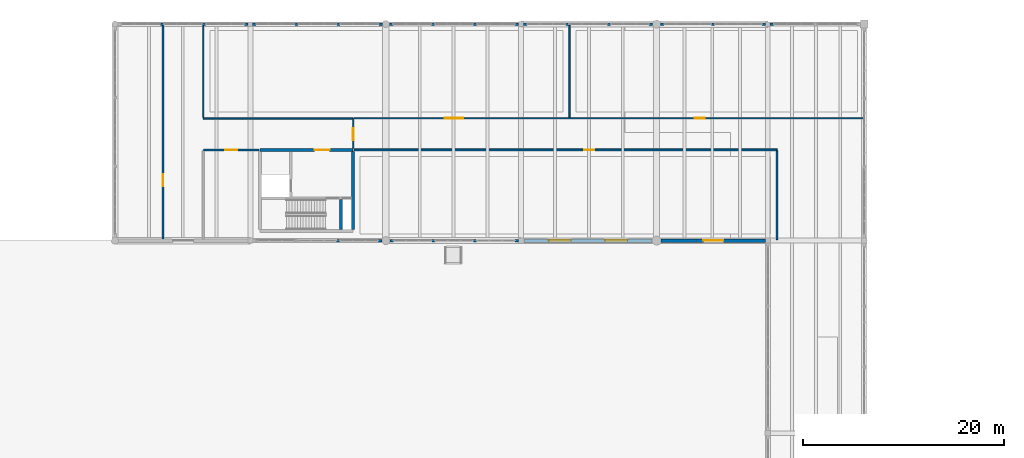
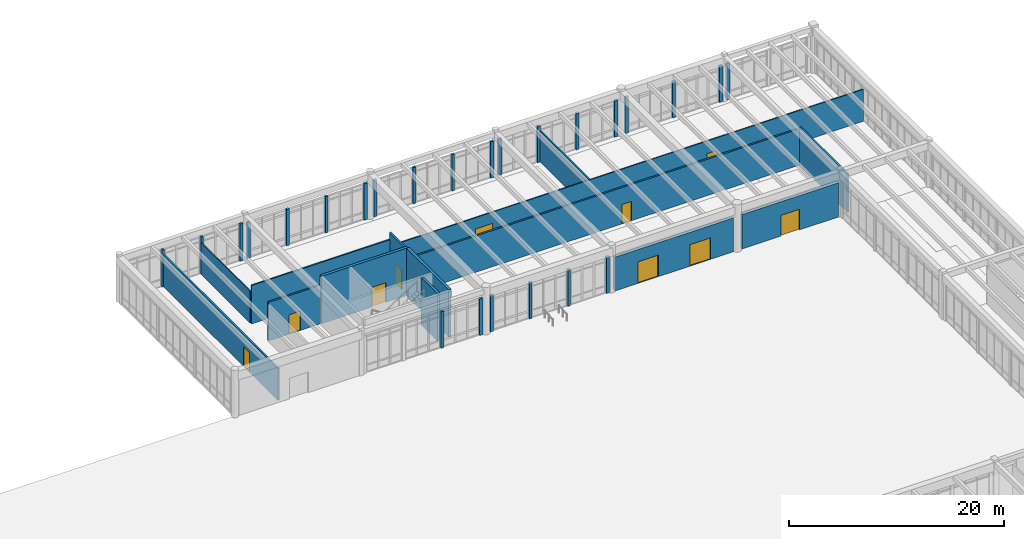
# One storey, part 114 of 138: 39 walls, 10 doors, 10 openings.
"""IFC4 building model written with IfcOpenShell, lengths in metres."""

from ifc_helpers import new_model, si_unit, direction, frame, frame_2d, origin, place, context, subcontext, project, spatial, rectangle, extrude, material, layer, layer_set, type_object, element, fill, save


model = new_model("IFC4")

# Units and contexts
model_context = context("Model", 3, precision=1e-05, world=origin(), true_north=direction((0.0, 1.0)))
body_context = subcontext(model_context, "Body", "Model", "MODEL_VIEW")
ifc_project = project(units=[si_unit("LENGTHUNIT", "METRE"), si_unit("AREAUNIT", "SQUARE_METRE"), si_unit("VOLUMEUNIT", "CUBIC_METRE"), si_unit("PLANEANGLEUNIT", "RADIAN"), si_unit("MASSUNIT", "GRAM", prefix="KILO")], contexts=[model_context])

# Site, building, storey
site_placement = place(None, origin())
site = spatial("IfcSite", under=ifc_project, at=site_placement, CompositionType="ELEMENT")
building_placement = place(site_placement, origin())
building = spatial("IfcBuilding", under=site, at=building_placement, Name="Fikremerkos Civic Library", CompositionType="ELEMENT")
storey_placement = place(building_placement, origin())
storey = spatial("IfcBuildingStorey", under=building, at=storey_placement, Name="L00", CompositionType="ELEMENT", Elevation=0.0)

# Wall, opening, door
ifc_material_1 = material(Name="Concrete C40/50", Category="concrete")
ifc_layer_1 = layer(ifc_material_1, 0.300048828125, Name="Concrete C40/50")
ifc_layer_set_1 = layer_set([ifc_layer_1], Name="Concrete C40/50")
wall_type_1 = type_object("IfcWallType", Name="Core shear wall CSW-01 300", PredefinedType="SHEAR", material=ifc_layer_set_1)
wall_1_placement = place(storey_placement, frame((74.14990234375, 105.050048828125, 0.0), z_axis=(0.0, 0.0, 1.0), x_axis=(1.0, 0.0, 0.0)))
wall_1 = element("IfcWall", 1, at=wall_1_placement, inside=storey, type_object=wall_type_1, Name="Core K5 north shear wall L00", PredefinedType="SHEAR", context=body_context, shape_type="SweptSolid", body=[
    extrude(rectangle(XDim=9.300048828125, YDim=0.300048828125, at=frame_2d((4.64990234375, 0.0))), origin(), (0.0, 0.0, 1.0), 5.39990234375),
])
opening_1_placement = place(wall_1_placement, frame((5.449951171875, 0.0, 0.0)))
opening_1 = element("IfcOpeningElement", 2, at=opening_1_placement, cuts=wall_1, Name="Opening D122", PredefinedType="OPENING", context=body_context, shape_type="SweptSolid", body=[
    extrude(rectangle(XDim=1.5, YDim=2.25, at=frame_2d((0.75, 1.125))), frame((0.0, 0.159912109375, 0.0), z_axis=(0.0, -1.0, 0.0), x_axis=(1.0, 0.0, 0.0)), (0.0, 0.0, 1.0), 0.320068359375),
])
ifc_material_2 = material(Name="Hardwood timber and acoustic glass", Category="wood")
door_type_1 = type_object("IfcDoorType", Name="Pedestrian door DT-05 1500x2250", OperationType="NOTDEFINED", PredefinedType="DOOR", material=ifc_material_2)
door_1_placement = place(opening_1_placement, origin())
door_1 = element("IfcDoor", 3, at=door_1_placement, inside=storey, type_object=door_type_1, Name="Core K5 lobby fire door D122 L00", OperationType="SINGLE_SWING_RIGHT", OverallHeight=2.25, OverallWidth=1.5, PredefinedType="DOOR", context=body_context, shape_type="SweptSolid", body=[
    extrude(rectangle(XDim=1.5, YDim=2.25, at=frame_2d((0.75, 1.125))), frame((0.0, 0.032470703125, 0.0), z_axis=(0.0, -1.0, 0.0), x_axis=(1.0, 0.0, 0.0)), (0.0, 0.0, 1.0), 0.06494140625),
])
fill(opening_1, door_1)

# Walls
wall_2_placement = place(storey_placement, frame((83.449951171875, 104.89794921875, 0.0), z_axis=(0.0, 0.0, 1.0), x_axis=(0.0, -1.0, 0.0)))
element("IfcWall", 4, at=wall_2_placement, inside=storey, type_object=wall_type_1, Name="Core K5 east shear wall L00", PredefinedType="SHEAR", context=body_context, shape_type="SweptSolid", body=[
    extrude(rectangle(XDim=7.7958984375, YDim=0.300048828125, at=frame_2d((3.89794921875, 0.0))), origin(), (0.0, 0.0, 1.0), 5.39990234375),
])
ifc_layer_2 = layer(ifc_material_1, 0.260009765625, Name="Concrete C40/50")
ifc_layer_set_2 = layer_set([ifc_layer_2], Name="Concrete C40/50")
wall_type_2 = type_object("IfcWallType", Name="Core shear wall CSW-02 260", PredefinedType="SHEAR", material=ifc_layer_set_2)
wall_3_placement = place(storey_placement, frame((82.22998046875, 97.10205078125, 0.0), z_axis=(0.0, 0.0, 1.0), x_axis=(0.0, 1.0, 0.0)))
element("IfcWall", 5, at=wall_3_placement, inside=storey, type_object=wall_type_2, Name="Core K5 stair-riser shear wall L00", PredefinedType="SHEAR", context=body_context, shape_type="SweptSolid", body=[
    extrude(rectangle(XDim=2.995849609375, YDim=0.260009765625, at=frame_2d((1.498046875, 0.0))), origin(), (0.0, 0.0, 1.0), 5.39990234375),
])

# Wall, opening, door
ifc_material_3 = material(Name="Precast concrete C40/50", Category="concrete")
ifc_layer_3 = layer(ifc_material_3, 0.320068359375, Name="Precast concrete C40/50")
ifc_layer_set_3 = layer_set([ifc_layer_3], Name="Precast concrete C40/50")
wall_type_3 = type_object("IfcWallType", Name="Exterior solid wall ESW-02 320", PredefinedType="SOLIDWALL", material=ifc_layer_set_3)
wall_4_placement = place(storey_placement, frame((124.552001953125, 96.0, 0.0), z_axis=(0.0, 0.0, 1.0), x_axis=(-1.0, 0.0, 0.0)))
wall_4 = element("IfcWall", 6, at=wall_4_placement, inside=storey, type_object=wall_type_3, Name="Exterior ground wall ESW-02 #245", PredefinedType="SOLIDWALL", context=body_context, shape_type="SweptSolid", body=[
    extrude(rectangle(XDim=10.404052734375, YDim=0.320068359375, at=frame_2d((5.2021484375, 0.0))), origin(), (0.0, 0.0, 1.0), 3.89990234375),
])
opening_2_placement = place(wall_4_placement, frame((4.201904296875, 0.0, 0.0)))
opening_2 = element("IfcOpeningElement", 7, at=opening_2_placement, cuts=wall_4, Name="Opening D017", PredefinedType="OPENING", context=body_context, shape_type="SweptSolid", body=[
    extrude(rectangle(XDim=2.0, YDim=2.35009765625, at=frame_2d((1.0, 1.175048828125))), frame((0.0, 0.169921875, 0.0), z_axis=(0.0, -1.0, 0.0), x_axis=(1.0, 0.0, 0.0)), (0.0, 0.0, 1.0), 0.340087890625),
])
ifc_material_4 = material(Name="Thermally broken bronze aluminium and glass", Category="aluminium")
door_type_2 = type_object("IfcDoorType", Name="Pedestrian door DT-11 2000x2350", OperationType="NOTDEFINED", PredefinedType="DOOR", material=ifc_material_4)
door_2_placement = place(opening_2_placement, origin())
door_2 = element("IfcDoor", 8, at=door_2_placement, inside=storey, type_object=door_type_2, Name="Ground final exit pedestrian door D017", OperationType="SINGLE_SWING_LEFT", OverallHeight=2.35009765625, OverallWidth=2.0, PredefinedType="DOOR", context=body_context, shape_type="SweptSolid", body=[
    extrude(rectangle(XDim=2.0, YDim=2.35009765625, at=frame_2d((1.0, 1.175048828125))), frame((0.0, 0.032470703125, 0.0), z_axis=(0.0, -1.0, 0.0), x_axis=(1.0, 0.0, 0.0)), (0.0, 0.0, 1.0), 0.06494140625),
])
fill(opening_2, door_2)

# Wall, openings, doors
wall_5_placement = place(storey_placement, frame((113.251953125, 96.0, 0.0), z_axis=(0.0, 0.0, 1.0), x_axis=(-1.0, 0.0, 0.0)))
wall_5 = element("IfcWall", 9, at=wall_5_placement, inside=storey, type_object=wall_type_3, Name="Exterior ground wall ESW-02 #246", PredefinedType="SOLIDWALL", context=body_context, shape_type="SweptSolid", body=[
    extrude(rectangle(XDim=12.779052734375, YDim=0.320068359375, at=frame_2d((6.3896484375, 0.0))), origin(), (0.0, 0.0, 1.0), 3.85009765625),
])
opening_3_placement = place(wall_5_placement, frame((2.47802734375, 0.0, 0.0)))
opening_3 = element("IfcOpeningElement", 10, at=opening_3_placement, cuts=wall_5, Name="Opening D018", PredefinedType="OPENING", context=body_context, shape_type="SweptSolid", body=[
    extrude(rectangle(XDim=2.199951171875, YDim=2.449951171875, at=frame_2d((1.10009765625, 1.22509765625))), frame((0.0, 0.169921875, 0.0), z_axis=(0.0, -1.0, 0.0), x_axis=(1.0, 0.0, 0.0)), (0.0, 0.0, 1.0), 0.340087890625),
])
opening_4_placement = place(wall_5_placement, frame((8.100830078125, 0.0, 0.0)))
opening_4 = element("IfcOpeningElement", 11, at=opening_4_placement, cuts=wall_5, Name="Opening D019", PredefinedType="OPENING", context=body_context, shape_type="SweptSolid", body=[
    extrude(rectangle(XDim=2.199951171875, YDim=2.449951171875, at=frame_2d((1.10009765625, 1.22509765625))), frame((0.0, 0.169921875, 0.0), z_axis=(0.0, -1.0, 0.0), x_axis=(1.0, 0.0, 0.0)), (0.0, 0.0, 1.0), 0.340087890625),
])
door_type_3 = type_object("IfcDoorType", Name="Pedestrian door DT-10 2200x2450", OperationType="NOTDEFINED", PredefinedType="DOOR", material=ifc_material_4)
door_3_placement = place(opening_3_placement, origin())
door_3 = element("IfcDoor", 12, at=door_3_placement, inside=storey, type_object=door_type_3, Name="Ground final exit pedestrian door D018", OperationType="SINGLE_SWING_LEFT", OverallHeight=2.449951171875, OverallWidth=2.199951171875, PredefinedType="DOOR", context=body_context, shape_type="SweptSolid", body=[
    extrude(rectangle(XDim=2.199951171875, YDim=2.449951171875, at=frame_2d((1.10009765625, 1.22509765625))), frame((0.0, 0.032470703125, 0.0), z_axis=(0.0, -1.0, 0.0), x_axis=(1.0, 0.0, 0.0)), (0.0, 0.0, 1.0), 0.06494140625),
])
fill(opening_3, door_3)
door_4_placement = place(opening_4_placement, origin())
door_4 = element("IfcDoor", 13, at=door_4_placement, inside=storey, type_object=door_type_3, Name="Ground final exit pedestrian door D019", OperationType="SINGLE_SWING_RIGHT", OverallHeight=2.449951171875, OverallWidth=2.199951171875, PredefinedType="DOOR", context=body_context, shape_type="SweptSolid", body=[
    extrude(rectangle(XDim=2.199951171875, YDim=2.449951171875, at=frame_2d((1.10009765625, 1.22509765625))), frame((0.0, 0.032470703125, 0.0), z_axis=(0.0, -1.0, 0.0), x_axis=(1.0, 0.0, 0.0)), (0.0, 0.0, 1.0), 0.06494140625),
])
fill(opening_4, door_4)

# Walls
ifc_layer_4 = layer(ifc_material_3, 0.25, Name="Precast concrete C40/50")
ifc_layer_set_4 = layer_set([ifc_layer_4], Name="Precast concrete C40/50")
wall_type_4 = type_object("IfcWallType", Name="Exterior solid wall ESW-05 250", PredefinedType="SOLIDWALL", material=ifc_layer_set_4)
for number, where, z_axis, x_axis, name in (
    (14, (99.927001953125, 96.0, 0.0), (0.0, 0.0, 1.0), (-1.0, 0.0, 0.0), "Exterior facade pier ESW-05 #247"),
    (15, (87.447998046875, 96.0, 0.0), (0.0, 0.0, 1.0), (-1.0, 0.0, 0.0), "Exterior facade pier ESW-05 #248"),
):
    element("IfcWall", number, at=place(storey_placement, frame(where, z_axis=z_axis, x_axis=x_axis)), inside=storey, type_object=wall_type_4, Name=name, PredefinedType="SOLIDWALL", context=body_context, shape_type="SweptSolid", body=[
        extrude(rectangle(XDim=0.35009765625, YDim=0.25, at=frame_2d((0.175048828125, 0.0))), origin(), (0.0, 0.0, 1.0), 4.1298828125),
    ])
wall_6_placement = place(storey_placement, frame((95.73388671875, 96.0, 0.0), z_axis=(0.0, 0.0, 1.0), x_axis=(-1.0, 0.0, 0.0)))
element("IfcWall", 16, at=wall_6_placement, inside=storey, type_object=wall_type_4, Name="Exterior facade mullion pier ESW-05 #249", PredefinedType="SOLIDWALL", context=body_context, shape_type="SweptSolid", body=[
    extrude(rectangle(XDim=0.2998046875, YDim=0.25, at=frame_2d((0.14990234375, 0.0))), origin(), (0.0, 0.0, 1.0), 4.1298828125),
])
wall_7_placement = place(storey_placement, frame((91.591064453125, 96.0, 0.0), z_axis=(0.0, 0.0, 1.0), x_axis=(-1.0, 0.0, 0.0)))
element("IfcWall", 17, at=wall_7_placement, inside=storey, type_object=wall_type_4, Name="Exterior facade mullion pier ESW-05 #250", PredefinedType="SOLIDWALL", context=body_context, shape_type="SweptSolid", body=[
    extrude(rectangle(XDim=0.300048828125, YDim=0.25, at=frame_2d((0.14990234375, 0.0))), origin(), (0.0, 0.0, 1.0), 4.1298828125),
])
wall_8_placement = place(storey_placement, frame((86.302001953125, 96.0, 0.0), z_axis=(0.0, 0.0, 1.0), x_axis=(-1.0, 0.0, 0.0)))
element("IfcWall", 18, at=wall_8_placement, inside=storey, type_object=wall_type_4, Name="Exterior facade pier ESW-05 #251", PredefinedType="SOLIDWALL", context=body_context, shape_type="SweptSolid", body=[
    extrude(rectangle(XDim=0.35009765625, YDim=0.25, at=frame_2d((0.175048828125, 0.0))), origin(), (0.0, 0.0, 1.0), 4.1298828125),
])
wall_9_placement = place(storey_placement, frame((82.1005859375, 96.0, 0.0), z_axis=(0.0, 0.0, 1.0), x_axis=(-1.0, 0.0, 0.0)))
element("IfcWall", 19, at=wall_9_placement, inside=storey, type_object=wall_type_4, Name="Exterior facade mullion pier ESW-05 #253", PredefinedType="SOLIDWALL", context=body_context, shape_type="SweptSolid", body=[
    extrude(rectangle(XDim=0.2998046875, YDim=0.25, at=frame_2d((0.14990234375, 0.0))), origin(), (0.0, 0.0, 1.0), 4.1298828125),
])
wall_10_placement = place(storey_placement, frame((72.626953125, 117.60009765625, 0.0), z_axis=(0.0, 0.0, 1.0), x_axis=(1.0, 0.0, 0.0)))
element("IfcWall", 20, at=wall_10_placement, inside=storey, type_object=wall_type_4, Name="Exterior facade pier ESW-05 #261", PredefinedType="SOLIDWALL", context=body_context, shape_type="SweptSolid", body=[
    extrude(rectangle(XDim=0.35009765625, YDim=0.25, at=frame_2d((0.175048828125, 0.0))), origin(), (0.0, 0.0, 1.0), 4.219970703125),
])
wall_11_placement = place(storey_placement, frame((64.240966796875, 117.60009765625, 0.0), z_axis=(0.0, 0.0, 1.0), x_axis=(1.0, 0.0, 0.0)))
element("IfcWall", 21, at=wall_11_placement, inside=storey, type_object=wall_type_4, Name="Exterior facade mullion pier ESW-05 #262", PredefinedType="SOLIDWALL", context=body_context, shape_type="SweptSolid", body=[
    extrude(rectangle(XDim=0.300048828125, YDim=0.25, at=frame_2d((0.14990234375, 0.0))), origin(), (0.0, 0.0, 1.0), 4.219970703125),
])
wall_12_placement = place(storey_placement, frame((68.43408203125, 117.60009765625, 0.0), z_axis=(0.0, 0.0, 1.0), x_axis=(1.0, 0.0, 0.0)))
element("IfcWall", 22, at=wall_12_placement, inside=storey, type_object=wall_type_4, Name="Exterior facade mullion pier ESW-05 #263", PredefinedType="SOLIDWALL", context=body_context, shape_type="SweptSolid", body=[
    extrude(rectangle(XDim=0.2998046875, YDim=0.25, at=frame_2d((0.14990234375, 0.0))), origin(), (0.0, 0.0, 1.0), 4.219970703125),
])
wall_13_placement = place(storey_placement, frame((73.423095703125, 117.60009765625, 0.0), z_axis=(0.0, 0.0, 1.0), x_axis=(1.0, 0.0, 0.0)))
element("IfcWall", 23, at=wall_13_placement, inside=storey, type_object=wall_type_4, Name="Exterior facade pier ESW-05 #264", PredefinedType="SOLIDWALL", context=body_context, shape_type="SweptSolid", body=[
    extrude(rectangle(XDim=0.349853515625, YDim=0.25, at=frame_2d((0.1748046875, 0.0))), origin(), (0.0, 0.0, 1.0), 4.1298828125),
])
wall_14_placement = place(storey_placement, frame((86.001953125, 117.60009765625, 0.0), z_axis=(0.0, 0.0, 1.0), x_axis=(1.0, 0.0, 0.0)))
element("IfcWall", 24, at=wall_14_placement, inside=storey, type_object=wall_type_4, Name="Exterior facade pier ESW-05 #265", PredefinedType="SOLIDWALL", context=body_context, shape_type="SweptSolid", body=[
    extrude(rectangle(XDim=0.35009765625, YDim=0.25, at=frame_2d((0.175048828125, 0.0))), origin(), (0.0, 0.0, 1.0), 4.1298828125),
])
wall_15_placement = place(storey_placement, frame((77.6494140625, 117.60009765625, 0.0), z_axis=(0.0, 0.0, 1.0), x_axis=(1.0, 0.0, 0.0)))
element("IfcWall", 25, at=wall_15_placement, inside=storey, type_object=wall_type_4, Name="Exterior facade mullion pier ESW-05 #266", PredefinedType="SOLIDWALL", context=body_context, shape_type="SweptSolid", body=[
    extrude(rectangle(XDim=0.2998046875, YDim=0.25, at=frame_2d((0.14990234375, 0.0))), origin(), (0.0, 0.0, 1.0), 4.1298828125),
])
wall_16_placement = place(storey_placement, frame((81.82568359375, 117.60009765625, 0.0), z_axis=(0.0, 0.0, 1.0), x_axis=(1.0, 0.0, 0.0)))
element("IfcWall", 26, at=wall_16_placement, inside=storey, type_object=wall_type_4, Name="Exterior facade mullion pier ESW-05 #267", PredefinedType="SOLIDWALL", context=body_context, shape_type="SweptSolid", body=[
    extrude(rectangle(XDim=0.300048828125, YDim=0.25, at=frame_2d((0.14990234375, 0.0))), origin(), (0.0, 0.0, 1.0), 4.1298828125),
])
for number, where, z_axis, x_axis, name in (
    (27, (87.048095703125, 117.60009765625, 0.0), (0.0, 0.0, 1.0), (1.0, 0.0, 0.0), "Exterior facade pier ESW-05 #268"),
    (28, (99.60205078125, 117.60009765625, 0.0), (0.0, 0.0, 1.0), (1.0, 0.0, 0.0), "Exterior facade pier ESW-05 #269"),
):
    element("IfcWall", number, at=place(storey_placement, frame(where, z_axis=z_axis, x_axis=x_axis)), inside=storey, type_object=wall_type_4, Name=name, PredefinedType="SOLIDWALL", context=body_context, shape_type="SweptSolid", body=[
        extrude(rectangle(XDim=0.349853515625, YDim=0.25, at=frame_2d((0.1748046875, 0.0))), origin(), (0.0, 0.0, 1.0), 4.1298828125),
    ])
for number, where, z_axis, x_axis, name in (
    (29, (91.26611328125, 117.60009765625, 0.0), (0.0, 0.0, 1.0), (1.0, 0.0, 0.0), "Exterior facade mullion pier ESW-05 #270"),
    (30, (95.43408203125, 117.60009765625, 0.0), (0.0, 0.0, 1.0), (1.0, 0.0, 0.0), "Exterior facade mullion pier ESW-05 #271"),
):
    element("IfcWall", number, at=place(storey_placement, frame(where, z_axis=z_axis, x_axis=x_axis)), inside=storey, type_object=wall_type_4, Name=name, PredefinedType="SOLIDWALL", context=body_context, shape_type="SweptSolid", body=[
        extrude(rectangle(XDim=0.2998046875, YDim=0.25, at=frame_2d((0.14990234375, 0.0))), origin(), (0.0, 0.0, 1.0), 4.1298828125),
    ])
for number, where, z_axis, x_axis, name in (
    (31, (100.447998046875, 117.60009765625, 0.0), (0.0, 0.0, 1.0), (1.0, 0.0, 0.0), "Exterior facade pier ESW-05 #272"),
    (32, (112.951904296875, 117.60009765625, 0.0), (0.0, 0.0, 1.0), (1.0, 0.0, 0.0), "Exterior facade pier ESW-05 #273"),
):
    element("IfcWall", number, at=place(storey_placement, frame(where, z_axis=z_axis, x_axis=x_axis)), inside=storey, type_object=wall_type_4, Name=name, PredefinedType="SOLIDWALL", context=body_context, shape_type="SweptSolid", body=[
        extrude(rectangle(XDim=0.35009765625, YDim=0.25, at=frame_2d((0.175048828125, 0.0))), origin(), (0.0, 0.0, 1.0), 4.1298828125),
    ])
for number, where, z_axis, x_axis, name in (
    (33, (104.6494140625, 117.60009765625, 0.0), (0.0, 0.0, 1.0), (1.0, 0.0, 0.0), "Exterior facade mullion pier ESW-05 #274"),
    (34, (108.80078125, 117.60009765625, 0.0), (0.0, 0.0, 1.0), (1.0, 0.0, 0.0), "Exterior facade mullion pier ESW-05 #275"),
):
    element("IfcWall", number, at=place(storey_placement, frame(where, z_axis=z_axis, x_axis=x_axis)), inside=storey, type_object=wall_type_4, Name=name, PredefinedType="SOLIDWALL", context=body_context, shape_type="SweptSolid", body=[
        extrude(rectangle(XDim=0.2998046875, YDim=0.25, at=frame_2d((0.14990234375, 0.0))), origin(), (0.0, 0.0, 1.0), 4.1298828125),
    ])
wall_17_placement = place(storey_placement, frame((114.097900390625, 117.60009765625, 0.0), z_axis=(0.0, 0.0, 1.0), x_axis=(1.0, 0.0, 0.0)))
element("IfcWall", 35, at=wall_17_placement, inside=storey, type_object=wall_type_4, Name="Exterior facade pier ESW-05 #276", PredefinedType="SOLIDWALL", context=body_context, shape_type="SweptSolid", body=[
    extrude(rectangle(XDim=0.35009765625, YDim=0.25, at=frame_2d((0.175048828125, 0.0))), origin(), (0.0, 0.0, 1.0), 4.1298828125),
])
wall_18_placement = place(storey_placement, frame((124.22705078125, 117.60009765625, 0.0), z_axis=(0.0, 0.0, 1.0), x_axis=(1.0, 0.0, 0.0)))
element("IfcWall", 36, at=wall_18_placement, inside=storey, type_object=wall_type_4, Name="Exterior facade pier ESW-05 #277", PredefinedType="SOLIDWALL", context=body_context, shape_type="SweptSolid", body=[
    extrude(rectangle(XDim=0.349853515625, YDim=0.25, at=frame_2d((0.1748046875, 0.0))), origin(), (0.0, 0.0, 1.0), 4.1298828125),
])
wall_19_placement = place(storey_placement, frame((119.1875, 117.60009765625, 0.0), z_axis=(0.0, 0.0, 1.0), x_axis=(1.0, 0.0, 0.0)))
element("IfcWall", 37, at=wall_19_placement, inside=storey, type_object=wall_type_4, Name="Exterior facade mullion pier ESW-05 #278", PredefinedType="SOLIDWALL", context=body_context, shape_type="SweptSolid", body=[
    extrude(rectangle(XDim=0.300048828125, YDim=0.25, at=frame_2d((0.14990234375, 0.0))), origin(), (0.0, 0.0, 1.0), 4.1298828125),
])
wall_20_placement = place(storey_placement, frame((125.02294921875, 117.60009765625, 0.0), z_axis=(0.0, 0.0, 1.0), x_axis=(1.0, 0.0, 0.0)))
element("IfcWall", 38, at=wall_20_placement, inside=storey, type_object=wall_type_4, Name="Exterior facade pier ESW-05 #279", PredefinedType="SOLIDWALL", context=body_context, shape_type="SweptSolid", body=[
    extrude(rectangle(XDim=0.35009765625, YDim=0.25, at=frame_2d((0.175048828125, 0.0))), origin(), (0.0, 0.0, 1.0), 4.1298828125),
])

# Wall, opening, door
ifc_material_5 = material(Name="Acoustic concrete blockwork", Category="masonry")
ifc_layer_5 = layer(ifc_material_5, 0.18994140625, Name="Acoustic concrete blockwork")
ifc_layer_set_5 = layer_set([ifc_layer_5], Name="Acoustic concrete blockwork")
wall_type_5 = type_object("IfcWallType", Name="Interior partition wall IPW-01 190", PredefinedType="PARTITIONING", material=ifc_layer_set_5)
wall_21_placement = place(storey_placement, frame((68.5, 105.050048828125, 0.0), z_axis=(0.0, 0.0, 1.0), x_axis=(1.0, 0.0, 0.0)))
wall_21 = element("IfcWall", 39, at=wall_21_placement, inside=storey, type_object=wall_type_5, Name="Interior wall IPW-01 L00 #83", PredefinedType="PARTITIONING", context=body_context, shape_type="SweptSolid", body=[
    extrude(rectangle(XDim=5.570068359375, YDim=0.18994140625, at=frame_2d((2.78515625, 0.0))), origin(), (0.0, 0.0, 1.0), 4.3798828125),
])
opening_5_placement = place(wall_21_placement, frame((2.199951171875, 0.0, 0.0)))
opening_5 = element("IfcOpeningElement", 40, at=opening_5_placement, cuts=wall_21, Name="Opening D186", PredefinedType="OPENING", context=body_context, shape_type="SweptSolid", body=[
    extrude(rectangle(XDim=1.199951171875, YDim=2.199951171875, at=frame_2d((0.60009765625, 1.10009765625))), frame((0.0, 0.10498046875, 0.0), z_axis=(0.0, -1.0, 0.0), x_axis=(1.0, 0.0, 0.0)), (0.0, 0.0, 1.0), 0.2099609375),
])
door_type_4 = type_object("IfcDoorType", Name="Pedestrian door DT-06 1200x2200", OperationType="NOTDEFINED", PredefinedType="DOOR", material=ifc_material_2)
door_5_placement = place(opening_5_placement, origin())
door_5 = element("IfcDoor", 41, at=door_5_placement, inside=storey, type_object=door_type_4, Name="Interior door D186 L00", OperationType="SINGLE_SWING_LEFT", OverallHeight=2.199951171875, OverallWidth=1.199951171875, PredefinedType="DOOR", context=body_context, shape_type="SweptSolid", body=[
    extrude(rectangle(XDim=1.199951171875, YDim=2.199951171875, at=frame_2d((0.60009765625, 1.10009765625))), frame((0.0, 0.032470703125, 0.0), z_axis=(0.0, -1.0, 0.0), x_axis=(1.0, 0.0, 0.0)), (0.0, 0.0, 1.0), 0.06494140625),
])
fill(opening_5, door_5)

wall_22_placement = place(storey_placement, frame((64.5, 96.1630859375, 0.0), z_axis=(0.0, 0.0, 1.0), x_axis=(0.0, 1.0, 0.0)))
wall_22 = element("IfcWall", 42, at=wall_22_placement, inside=storey, type_object=wall_type_5, Name="Interior wall IPW-01 L00 #91", PredefinedType="PARTITIONING", context=body_context, shape_type="SweptSolid", body=[
    extrude(rectangle(XDim=21.307861328125, YDim=0.18994140625, at=frame_2d((10.65380859375, 0.0))), origin(), (0.0, 0.0, 1.0), 3.610107421875),
])
opening_6_placement = place(wall_22_placement, frame((5.237060546875, 0.0, 0.0)))
opening_6 = element("IfcOpeningElement", 43, at=opening_6_placement, cuts=wall_22, Name="Opening D187", PredefinedType="OPENING", context=body_context, shape_type="SweptSolid", body=[
    extrude(rectangle(XDim=1.199951171875, YDim=2.199951171875, at=frame_2d((0.60009765625, 1.10009765625))), frame((0.0, 0.10498046875, 0.0), z_axis=(0.0, -1.0, 0.0), x_axis=(1.0, 0.0, 0.0)), (0.0, 0.0, 1.0), 0.2099609375),
])
door_6_placement = place(opening_6_placement, origin())
door_6 = element("IfcDoor", 44, at=door_6_placement, inside=storey, type_object=door_type_4, Name="Interior door D187 L00", OperationType="SINGLE_SWING_RIGHT", OverallHeight=2.199951171875, OverallWidth=1.199951171875, PredefinedType="DOOR", context=body_context, shape_type="SweptSolid", body=[
    extrude(rectangle(XDim=1.199951171875, YDim=2.199951171875, at=frame_2d((0.60009765625, 1.10009765625))), frame((0.0, 0.032470703125, 0.0), z_axis=(0.0, -1.0, 0.0), x_axis=(1.0, 0.0, 0.0)), (0.0, 0.0, 1.0), 0.06494140625),
])
fill(opening_6, door_6)

wall_23_placement = place(storey_placement, frame((83.449951171875, 105.202880859375, 0.0), z_axis=(0.0, 0.0, 1.0), x_axis=(0.0, 1.0, 0.0)))
wall_23 = element("IfcWall", 45, at=wall_23_placement, inside=storey, type_object=wall_type_5, Name="Interior wall IPW-01 L00 #93", PredefinedType="PARTITIONING", context=body_context, shape_type="SweptSolid", body=[
    extrude(rectangle(XDim=2.9970703125, YDim=0.18994140625, at=frame_2d((1.49853515625, 0.0))), origin(), (0.0, 0.0, 1.0), 5.139892578125),
])
opening_7_placement = place(wall_23_placement, frame((0.81689453125, 0.0, 0.0)))
opening_7 = element("IfcOpeningElement", 46, at=opening_7_placement, cuts=wall_23, Name="Opening D195", PredefinedType="OPENING", context=body_context, shape_type="SweptSolid", body=[
    extrude(rectangle(XDim=1.199951171875, YDim=2.199951171875, at=frame_2d((0.60009765625, 1.10009765625))), frame((0.0, 0.10498046875, 0.0), z_axis=(0.0, -1.0, 0.0), x_axis=(1.0, 0.0, 0.0)), (0.0, 0.0, 1.0), 0.2099609375),
])
door_7_placement = place(opening_7_placement, origin())
door_7 = element("IfcDoor", 47, at=door_7_placement, inside=storey, type_object=door_type_4, Name="Interior door D195 L00", OperationType="SINGLE_SWING_LEFT", OverallHeight=2.199951171875, OverallWidth=1.199951171875, PredefinedType="DOOR", context=body_context, shape_type="SweptSolid", body=[
    extrude(rectangle(XDim=1.199951171875, YDim=2.199951171875, at=frame_2d((0.60009765625, 1.10009765625))), frame((0.0, 0.032470703125, 0.0), z_axis=(0.0, -1.0, 0.0), x_axis=(1.0, 0.0, 0.0)), (0.0, 0.0, 1.0), 0.06494140625),
])
fill(opening_7, door_7)

wall_24_placement = place(storey_placement, frame((83.530029296875, 105.050048828125, 0.0), z_axis=(0.0, 0.0, 1.0), x_axis=(1.0, 0.0, 0.0)))
wall_24 = element("IfcWall", 48, at=wall_24_placement, inside=storey, type_object=wall_type_5, Name="Interior wall IPW-01 L00 #108", PredefinedType="PARTITIONING", context=body_context, shape_type="SweptSolid", body=[
    extrude(rectangle(XDim=42.169921875, YDim=0.18994140625, at=frame_2d((21.0849609375, 0.0))), origin(), (0.0, 0.0, 1.0), 4.1298828125),
])
opening_8_placement = place(wall_24_placement, frame((22.969970703125, 0.0, 0.0)))
opening_8 = element("IfcOpeningElement", 49, at=opening_8_placement, cuts=wall_24, Name="Opening D185", PredefinedType="OPENING", context=body_context, shape_type="SweptSolid", body=[
    extrude(rectangle(XDim=1.0, YDim=2.199951171875, at=frame_2d((0.5, 1.10009765625))), frame((0.0, 0.10498046875, 0.0), z_axis=(0.0, -1.0, 0.0), x_axis=(1.0, 0.0, 0.0)), (0.0, 0.0, 1.0), 0.2099609375),
])
door_type_5 = type_object("IfcDoorType", Name="Pedestrian door DT-01 1000x2200", OperationType="NOTDEFINED", PredefinedType="DOOR", material=ifc_material_2)
door_8_placement = place(opening_8_placement, origin())
door_8 = element("IfcDoor", 50, at=door_8_placement, inside=storey, type_object=door_type_5, Name="Interior door D185 L00", OperationType="SINGLE_SWING_RIGHT", OverallHeight=2.199951171875, OverallWidth=1.0, PredefinedType="DOOR", context=body_context, shape_type="SweptSolid", body=[
    extrude(rectangle(XDim=1.0, YDim=2.199951171875, at=frame_2d((0.5, 1.10009765625))), frame((0.0, 0.032470703125, 0.0), z_axis=(0.0, -1.0, 0.0), x_axis=(1.0, 0.0, 0.0)), (0.0, 0.0, 1.0), 0.06494140625),
])
fill(opening_8, door_8)

# Walls
wall_25_placement = place(storey_placement, frame((125.699951171875, 96.10498046875, 0.0), z_axis=(0.0, 0.0, 1.0), x_axis=(0.0, 1.0, 0.0)))
element("IfcWall", 51, at=wall_25_placement, inside=storey, type_object=wall_type_5, Name="Interior wall IPW-01 L00 #136", PredefinedType="PARTITIONING", context=body_context, shape_type="SweptSolid", body=[
    extrude(rectangle(XDim=8.840087890625, YDim=0.18994140625, at=frame_2d((4.419921875, 0.0))), origin(), (0.0, 0.0, 1.0), 4.330078125),
])
ifc_material_6 = material(Name="Acoustic gypsum stud partition")
ifc_layer_6 = layer(ifc_material_6, 0.14990234375, Name="Acoustic gypsum stud partition")
ifc_layer_set_6 = layer_set([ifc_layer_6], Name="Acoustic gypsum stud partition")
wall_type_6 = type_object("IfcWallType", Name="Interior partition wall IPW-02 150", PredefinedType="PARTITIONING", material=ifc_layer_set_6)
wall_26_placement = place(storey_placement, frame((68.5, 108.199951171875, 0.0), z_axis=(0.0, 0.0, 1.0), x_axis=(1.0, 0.0, 0.0)))
element("IfcWall", 52, at=wall_26_placement, inside=storey, type_object=wall_type_6, Name="Interior wall IPW-02 L00 #105", PredefinedType="PARTITIONING", context=body_context, shape_type="SweptSolid", body=[
    extrude(rectangle(XDim=14.89990234375, YDim=0.14990234375, at=frame_2d((7.449951171875, 0.0))), origin(), (0.0, 0.0, 1.0), 4.3798828125),
])
wall_27_placement = place(storey_placement, frame((105.0, 108.304931640625, 0.0), z_axis=(0.0, 0.0, 1.0), x_axis=(0.0, 1.0, 0.0)))
element("IfcWall", 53, at=wall_27_placement, inside=storey, type_object=wall_type_6, Name="Interior wall IPW-02 L00 #133", PredefinedType="PARTITIONING", context=body_context, shape_type="SweptSolid", body=[
    extrude(rectangle(XDim=9.166015625, YDim=0.14990234375, at=frame_2d((4.5830078125, 0.0))), origin(), (0.0, 0.0, 1.0), 3.52001953125),
])

# Wall, openings, doors
ifc_material_7 = material(Name="Lightweight metal stud partition")
ifc_layer_7 = layer(ifc_material_7, 0.110107421875, Name="Lightweight metal stud partition")
ifc_layer_set_7 = layer_set([ifc_layer_7], Name="Lightweight metal stud partition")
wall_type_7 = type_object("IfcWallType", Name="Interior partition wall IPW-04 110", PredefinedType="PARTITIONING", material=ifc_layer_set_7)
wall_28_placement = place(storey_placement, frame((83.5, 108.199951171875, 0.0), z_axis=(0.0, 0.0, 1.0), x_axis=(1.0, 0.0, 0.0)))
wall_28 = element("IfcWall", 54, at=wall_28_placement, inside=storey, type_object=wall_type_7, Name="Interior wall IPW-04 L00 #107", PredefinedType="PARTITIONING", context=body_context, shape_type="SweptSolid", body=[
    extrude(rectangle(XDim=50.81689453125, YDim=0.110107421875, at=frame_2d((25.408447265625, 0.0))), origin(), (0.0, 0.0, 1.0), 3.642578125),
])
opening_9_placement = place(wall_28_placement, frame((9.074951171875, 0.0, 0.0)))
opening_9 = element("IfcOpeningElement", 55, at=opening_9_placement, cuts=wall_28, Name="Opening D183", PredefinedType="OPENING", context=body_context, shape_type="SweptSolid", body=[
    extrude(rectangle(XDim=1.85009765625, YDim=2.35009765625, at=frame_2d((0.925048828125, 1.175048828125))), frame((0.0, 0.06494140625, 0.0), z_axis=(0.0, -1.0, 0.0), x_axis=(1.0, 0.0, 0.0)), (0.0, 0.0, 1.0), 0.130126953125),
])
opening_10_placement = place(wall_28_placement, frame((34.0, 0.0, 0.0)))
opening_10 = element("IfcOpeningElement", 56, at=opening_10_placement, cuts=wall_28, Name="Opening D184", PredefinedType="OPENING", context=body_context, shape_type="SweptSolid", body=[
    extrude(rectangle(XDim=1.0, YDim=2.199951171875, at=frame_2d((0.5, 1.10009765625))), frame((0.0, 0.06494140625, 0.0), z_axis=(0.0, -1.0, 0.0), x_axis=(1.0, 0.0, 0.0)), (0.0, 0.0, 1.0), 0.130126953125),
])
door_9_placement = place(opening_10_placement, origin())
door_9 = element("IfcDoor", 57, at=door_9_placement, inside=storey, type_object=door_type_5, Name="Interior door D184 L00", OperationType="SINGLE_SWING_LEFT", OverallHeight=2.199951171875, OverallWidth=1.0, PredefinedType="DOOR", context=body_context, shape_type="SweptSolid", body=[
    extrude(rectangle(XDim=1.0, YDim=2.199951171875, at=frame_2d((0.5, 1.10009765625))), frame((0.0, 0.032470703125, 0.0), z_axis=(0.0, -1.0, 0.0), x_axis=(1.0, 0.0, 0.0)), (0.0, 0.0, 1.0), 0.06494140625),
])
fill(opening_10, door_9)
door_type_6 = type_object("IfcDoorType", Name="Pedestrian door DT-09 1850x2350", OperationType="NOTDEFINED", PredefinedType="DOOR", material=ifc_material_2)
door_10_placement = place(opening_9_placement, origin())
door_10 = element("IfcDoor", 58, at=door_10_placement, inside=storey, type_object=door_type_6, Name="Interior door D183 L00", OperationType="SINGLE_SWING_RIGHT", OverallHeight=2.35009765625, OverallWidth=1.85009765625, PredefinedType="DOOR", context=body_context, shape_type="SweptSolid", body=[
    extrude(rectangle(XDim=1.85009765625, YDim=2.35009765625, at=frame_2d((0.925048828125, 1.175048828125))), frame((0.0, 0.032470703125, 0.0), z_axis=(0.0, -1.0, 0.0), x_axis=(1.0, 0.0, 0.0)), (0.0, 0.0, 1.0), 0.06494140625),
])
fill(opening_9, door_10)

# Wall
wall_29_placement = place(storey_placement, frame((68.5, 108.304931640625, 0.0), z_axis=(0.0, 0.0, 1.0), x_axis=(0.0, 1.0, 0.0)))
element("IfcWall", 59, at=wall_29_placement, inside=storey, type_object=wall_type_7, Name="Interior wall IPW-04 L00 #127", PredefinedType="PARTITIONING", context=body_context, shape_type="SweptSolid", body=[
    extrude(rectangle(XDim=9.166015625, YDim=0.110107421875, at=frame_2d((4.5830078125, 0.0))), origin(), (0.0, 0.0, 1.0), 3.610107421875),
])

save(model, "model.ifc")
